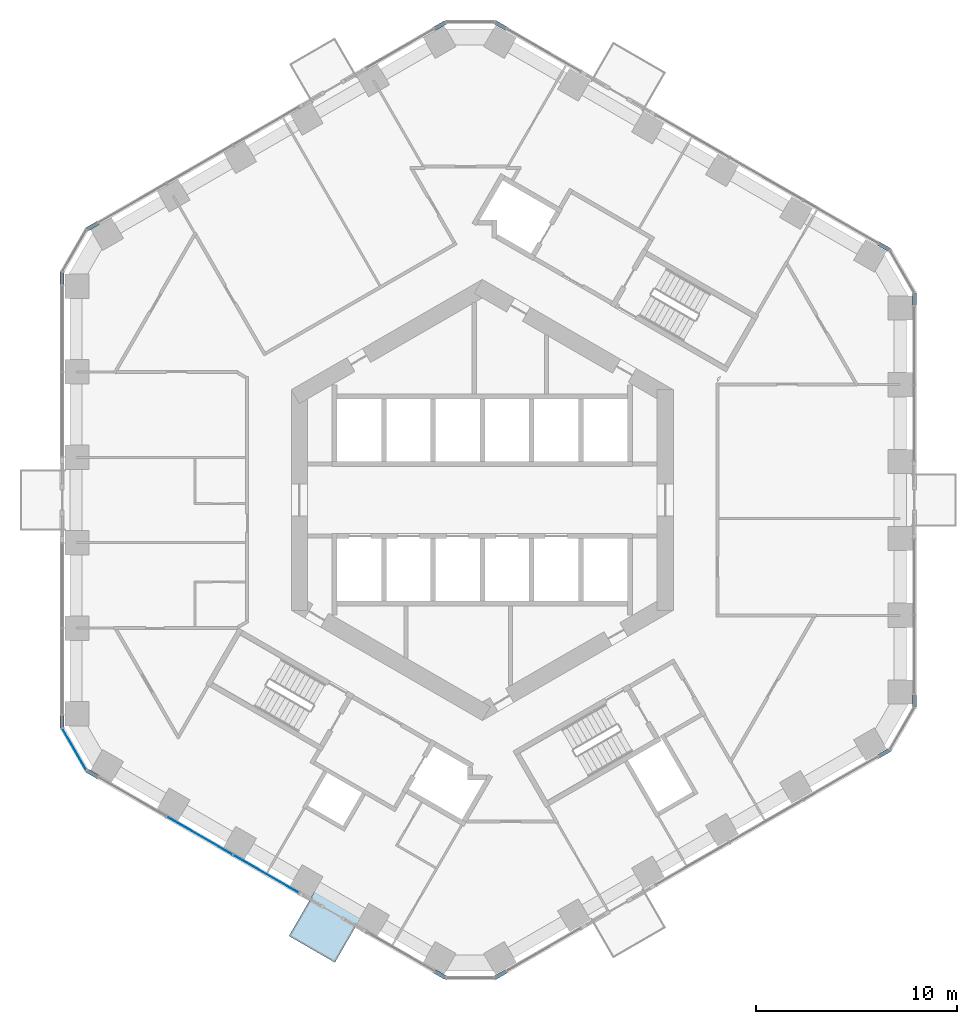
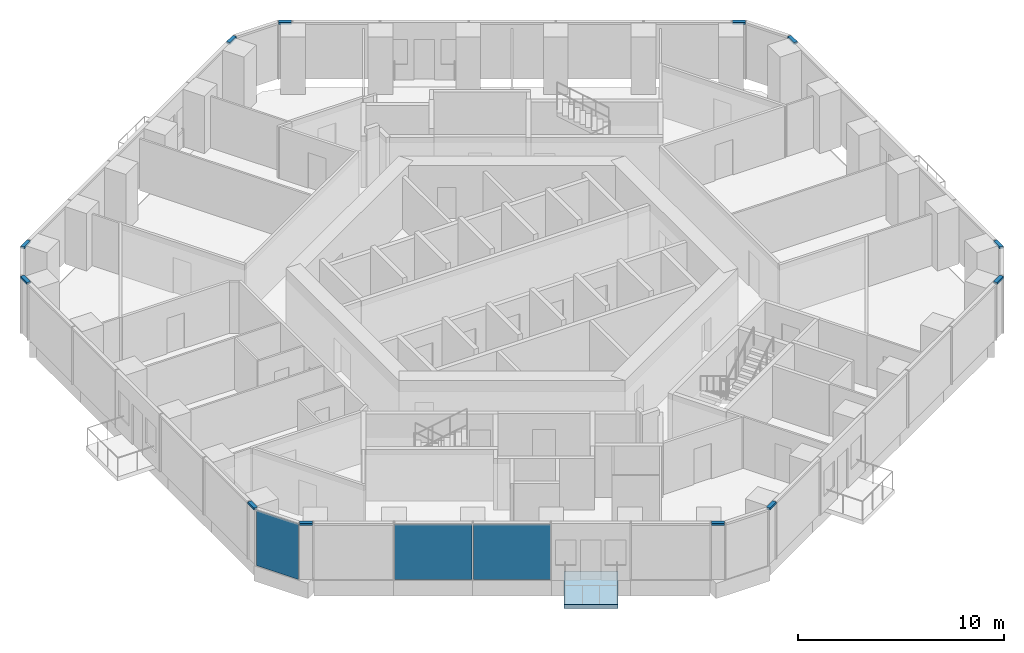
# One storey, part 8 of 20: 12 members, 3 plates, 1 slab, 7 elements without a shape of their own.
"""IFC4 building model written with IfcOpenShell, lengths in metres."""

from ifc_helpers import new_model, si_unit, direction, frame, origin, origin_2d, place, context, subcontext, project, spatial, polyline, rectangle, outline, extrude, material, layer, layer_set, material_profile, profile_set, type_object, element, aggregate, save


model = new_model("IFC4")

# Units and contexts
model_context = context("Model", 3, precision=1e-05, world=origin(), true_north=direction((0.0, 1.0)))
body_context = subcontext(model_context, "Body", "Model", "MODEL_VIEW")
ifc_project = project(units=[si_unit("LENGTHUNIT", "METRE"), si_unit("AREAUNIT", "SQUARE_METRE"), si_unit("VOLUMEUNIT", "CUBIC_METRE"), si_unit("PLANEANGLEUNIT", "RADIAN"), si_unit("MASSUNIT", "GRAM", prefix="KILO")], contexts=[model_context])

# Site, building, storey
site_placement = place(None, origin())
site = spatial("IfcSite", under=ifc_project, at=site_placement, CompositionType="ELEMENT")
building_placement = place(site_placement, origin())
building = spatial("IfcBuilding", under=site, at=building_placement, Name="Ayvan Gate Tower", CompositionType="ELEMENT")
storey_placement = place(building_placement, frame((0.0, 0.0, 59.5)))
storey = spatial("IfcBuildingStorey", under=building, at=storey_placement, Name="L15", CompositionType="ELEMENT", Elevation=59.5)

# Curtain wall, members
ifc_material_1 = material(Name="Bronze anodised aluminium", Category="aluminium")
ifc_layer_1 = layer(ifc_material_1, 0.199951171875)
ifc_layer_set_1 = layer_set([ifc_layer_1], Name="Bronze anodised aluminium")
curtain_wall_type_1 = type_object("IfcCurtainWallType", Name="Stick curtain wall CW-6", PredefinedType="NOTDEFINED", material=ifc_layer_set_1)
curtain_wall_1_placement = place(storey_placement, origin())
curtain_wall_1 = element("IfcCurtainWall", 1, at=curtain_wall_1_placement, inside=storey, type_object=curtain_wall_type_1, Name="Stick curtain wall CW-6 L15", PredefinedType="NOTDEFINED")
ifc_material_profile = material_profile(ifc_material_1, rectangle(XDim=0.199951171875, YDim=0.1201171875, at=origin_2d()), Name="Stick curtain wall CW-6 transom 200 x 120")
ifc_profile_set = profile_set([ifc_material_profile], Name="Bronze anodised aluminium")
member_type = type_object("IfcMemberType", Name="Stick curtain wall CW-6 transom 200 x 120", PredefinedType="USERDEFINED", material=ifc_profile_set)
member_1_placement = place(storey_placement, frame((-19.120849609375, 13.768798828125, 3.340087890625), z_axis=(-0.866022959057, -0.500004234368, 0.0), x_axis=(0.500004234368, -0.866022959057, 0.0)))
member_1 = element("IfcMember", 2, at=member_1_placement, type_object=member_type, Name="CW-6 transom 1", ObjectType="TRANSOM", PredefinedType="USERDEFINED", context=body_context, shape_type="SweptSolid", body=[
    extrude(rectangle(XDim=0.199951171875, YDim=0.1201171875, at=origin_2d()), origin(), (0.0, 0.0, 1.0), 0.625),
])
member_2_placement = place(storey_placement, frame((-20.89111328125, 11.32763671875, 3.340087890625), z_axis=(0.0, -1.0, 0.0), x_axis=(1.0, 0.0, 0.0)))
member_2 = element("IfcMember", 3, at=member_2_placement, type_object=member_type, Name="CW-6 transom 3", ObjectType="TRANSOM", PredefinedType="USERDEFINED", context=body_context, shape_type="SweptSolid", body=[
    extrude(rectangle(XDim=0.199951171875, YDim=0.1201171875, at=origin_2d()), origin(), (0.0, 0.0, 1.0), 0.625),
])
aggregate(curtain_wall_1, [member_1, member_2])

curtain_wall_2_placement = place(storey_placement, origin())
curtain_wall_2 = element("IfcCurtainWall", 4, at=curtain_wall_2_placement, inside=storey, type_object=curtain_wall_type_1, Name="Stick curtain wall CW-6 L15", PredefinedType="NOTDEFINED")
member_3_placement = place(storey_placement, frame((-20.89111328125, -10.70263671875, 3.340087890625), z_axis=(0.0, -1.0, 0.0), x_axis=(1.0, 0.0, 0.0)))
member_3 = element("IfcMember", 5, at=member_3_placement, type_object=member_type, Name="CW-6 transom 1", ObjectType="TRANSOM", PredefinedType="USERDEFINED", context=body_context, shape_type="SweptSolid", body=[
    extrude(rectangle(XDim=0.199951171875, YDim=0.1201171875, at=origin_2d()), origin(), (0.0, 0.0, 1.0), 0.625),
])
member_4_placement = place(storey_placement, frame((-19.662109375, -13.456298828125, 3.340087890625), z_axis=(0.866022959057, -0.500004234368, 0.0), x_axis=(0.500004234368, 0.866022959057, 0.0)))
member_4 = element("IfcMember", 6, at=member_4_placement, type_object=member_type, Name="CW-6 transom 3", ObjectType="TRANSOM", PredefinedType="USERDEFINED", context=body_context, shape_type="SweptSolid", body=[
    extrude(rectangle(XDim=0.199951171875, YDim=0.1201171875, at=origin_2d()), origin(), (0.0, 0.0, 1.0), 0.625),
])

curtain_wall_3_placement = place(storey_placement, origin())
curtain_wall_3 = element("IfcCurtainWall", 7, at=curtain_wall_3_placement, inside=storey, type_object=curtain_wall_type_1, Name="Stick curtain wall CW-6 L15", PredefinedType="NOTDEFINED")
member_5_placement = place(storey_placement, frame((-2.36376953125, -23.443603515625, 3.340087890625), z_axis=(0.866022959057, -0.500004234368, 0.0), x_axis=(0.500004234368, 0.866022959057, 0.0)))
member_5 = element("IfcMember", 8, at=member_5_placement, type_object=member_type, Name="CW-6 transom 1", ObjectType="TRANSOM", PredefinedType="USERDEFINED", context=body_context, shape_type="SweptSolid", body=[
    extrude(rectangle(XDim=0.199951171875, YDim=0.1201171875, at=origin_2d()), origin(), (0.0, 0.0, 1.0), 0.625),
])
member_6_placement = place(storey_placement, frame((0.635498046875, -23.756103515625, 3.340087890625), z_axis=(0.866022959057, 0.500004234368, 0.0), x_axis=(-0.500004234368, 0.866022959057, 0.0)))
member_6 = element("IfcMember", 9, at=member_6_placement, type_object=member_type, Name="CW-6 transom 3", ObjectType="TRANSOM", PredefinedType="USERDEFINED", context=body_context, shape_type="SweptSolid", body=[
    extrude(rectangle(XDim=0.199951171875, YDim=0.1201171875, at=origin_2d()), origin(), (0.0, 0.0, 1.0), 0.625),
])
aggregate(curtain_wall_3, [member_5, member_6])

curtain_wall_4_placement = place(storey_placement, origin())
curtain_wall_4 = element("IfcCurtainWall", 10, at=curtain_wall_4_placement, inside=storey, type_object=curtain_wall_type_1, Name="Stick curtain wall CW-6 L15", PredefinedType="NOTDEFINED")
member_7_placement = place(storey_placement, frame((19.71435546875, -12.740966796875, 3.340087890625), z_axis=(0.866022959057, 0.500004234368, 0.0), x_axis=(-0.500004234368, 0.866022959057, 0.0)))
member_7 = element("IfcMember", 11, at=member_7_placement, type_object=member_type, Name="CW-6 transom 1", ObjectType="TRANSOM", PredefinedType="USERDEFINED", context=body_context, shape_type="SweptSolid", body=[
    extrude(rectangle(XDim=0.199951171875, YDim=0.1201171875, at=origin_2d()), origin(), (0.0, 0.0, 1.0), 0.625),
])
member_8_placement = place(storey_placement, frame((21.484619140625, -10.2998046875, 3.340087890625), z_axis=(0.0, 1.0, 0.0), x_axis=(-1.0, 0.0, 0.0)))
member_8 = element("IfcMember", 12, at=member_8_placement, type_object=member_type, Name="CW-6 transom 3", ObjectType="TRANSOM", PredefinedType="USERDEFINED", context=body_context, shape_type="SweptSolid", body=[
    extrude(rectangle(XDim=0.199951171875, YDim=0.1201171875, at=origin_2d()), origin(), (0.0, 0.0, 1.0), 0.625),
])
aggregate(curtain_wall_4, [member_7, member_8])

curtain_wall_5_placement = place(storey_placement, origin())
curtain_wall_5 = element("IfcCurtainWall", 13, at=curtain_wall_5_placement, inside=storey, type_object=curtain_wall_type_1, Name="Stick curtain wall CW-6 L15", PredefinedType="NOTDEFINED")
member_9_placement = place(storey_placement, frame((21.484619140625, 9.6748046875, 3.340087890625), z_axis=(0.0, 1.0, 0.0), x_axis=(-1.0, 0.0, 0.0)))
member_9 = element("IfcMember", 14, at=member_9_placement, type_object=member_type, Name="CW-6 transom 1", ObjectType="TRANSOM", PredefinedType="USERDEFINED", context=body_context, shape_type="SweptSolid", body=[
    extrude(rectangle(XDim=0.199951171875, YDim=0.1201171875, at=origin_2d()), origin(), (0.0, 0.0, 1.0), 0.625),
])
member_10_placement = place(storey_placement, frame((20.255615234375, 12.428466796875, 3.340087890625), z_axis=(-0.866022959057, 0.500004234368, 0.0), x_axis=(-0.500004234368, -0.866022959057, 0.0)))
member_10 = element("IfcMember", 15, at=member_10_placement, type_object=member_type, Name="CW-6 transom 3", ObjectType="TRANSOM", PredefinedType="USERDEFINED", context=body_context, shape_type="SweptSolid", body=[
    extrude(rectangle(XDim=0.199951171875, YDim=0.1201171875, at=origin_2d()), origin(), (0.0, 0.0, 1.0), 0.625),
])
aggregate(curtain_wall_5, [member_9, member_10])

curtain_wall_6_placement = place(storey_placement, origin())
curtain_wall_6 = element("IfcCurtainWall", 16, at=curtain_wall_6_placement, inside=storey, type_object=curtain_wall_type_1, Name="Stick curtain wall CW-6 L15", PredefinedType="NOTDEFINED")
member_11_placement = place(storey_placement, frame((1.1767578125, 23.443603515625, 3.340087890625), z_axis=(-0.866022959057, 0.500004234368, 0.0), x_axis=(-0.500004234368, -0.866022959057, 0.0)))
member_11 = element("IfcMember", 17, at=member_11_placement, type_object=member_type, Name="CW-6 transom 1", ObjectType="TRANSOM", PredefinedType="USERDEFINED", context=body_context, shape_type="SweptSolid", body=[
    extrude(rectangle(XDim=0.199951171875, YDim=0.1201171875, at=origin_2d()), origin(), (0.0, 0.0, 1.0), 0.625),
])
member_12_placement = place(storey_placement, frame((-1.822509765625, 23.756103515625, 3.340087890625), z_axis=(-0.866022959057, -0.500004234368, 0.0), x_axis=(0.500004234368, -0.866022959057, 0.0)))
member_12 = element("IfcMember", 18, at=member_12_placement, type_object=member_type, Name="CW-6 transom 3", ObjectType="TRANSOM", PredefinedType="USERDEFINED", context=body_context, shape_type="SweptSolid", body=[
    extrude(rectangle(XDim=0.199951171875, YDim=0.1201171875, at=origin_2d()), origin(), (0.0, 0.0, 1.0), 0.625),
])
aggregate(curtain_wall_6, [member_11, member_12])

# Slab
ifc_material_2 = material(Name="Concrete C40/50", Category="concrete")
ifc_layer_2 = layer(ifc_material_2, 0.25)
ifc_layer_set_2 = layer_set([ifc_layer_2], Name="Concrete C40/50")
slab_type = type_object("IfcSlabType", Name="Balcony slab 250", PredefinedType="FLOOR", material=ifc_layer_set_2)
slab_placement = place(storey_placement, frame((0.0, 0.0, -0.25)))
element("IfcSlab", 19, at=slab_placement, inside=storey, type_object=slab_type, Name="Balcony slab BAL-L15-4", PredefinedType="FLOOR", context=body_context, shape_type="SweptSolid", body=[
    extrude(outline(polyline([(-8.212890625, -19.25830078125), (-5.9326171875, -20.57470703125), (-7.33251953125, -22.999755859375), (-9.61279296875, -21.68310546875), (-8.212890625, -19.25830078125)])), origin(), (0.0, 0.0, 1.0), 0.25),
])

# Curtain wall, plates
ifc_layer_3 = layer(ifc_material_1, 0.199951171875)
ifc_layer_set_3 = layer_set([ifc_layer_3], Name="Bronze anodised aluminium")
curtain_wall_type_2 = type_object("IfcCurtainWallType", Name="Stick curtain wall CW-1", PredefinedType="NOTDEFINED", material=ifc_layer_set_3)
curtain_wall_7_placement = place(storey_placement, origin())
curtain_wall_7 = element("IfcCurtainWall", 20, at=curtain_wall_7_placement, inside=storey, type_object=curtain_wall_type_2, Name="Stick curtain wall CW-1 L15", PredefinedType="NOTDEFINED")
ifc_material_3 = material(Name="Clear low-iron laminated glass", Category="glass")
ifc_layer_4 = layer(ifc_material_3, 0.028076171875)
ifc_layer_set_4 = layer_set([ifc_layer_4], Name="Clear low-iron laminated glass")
plate_type_1 = type_object("IfcPlateType", Name="Stick curtain wall CW-1 glass panel", PredefinedType="CURTAIN_PANEL", material=ifc_layer_set_4)
plate_1_placement = place(storey_placement, frame((-14.050048828125, -16.696533203125, 0.0), z_axis=(0.0, 0.0, 1.0), x_axis=(0.866025403784, -0.5, 0.0)))
plate_1 = element("IfcPlate", 21, at=plate_1_placement, type_object=plate_type_1, Name="CW-1 glass panel 2", PredefinedType="CURTAIN_PANEL", context=body_context, shape_type="SweptSolid", body=[
    extrude(rectangle(XDim=3.759033203125, YDim=0.028076171875, at=origin_2d()), origin(), (0.0, 0.0, 1.0), 3.280029296875),
])
plate_2_placement = place(storey_placement, frame((-10.7421875, -18.606201171875, 0.0), z_axis=(0.0, 0.0, 1.0), x_axis=(0.866025403784, -0.5, 0.0)))
plate_2 = element("IfcPlate", 22, at=plate_2_placement, type_object=plate_type_1, Name="CW-1 glass panel 3", PredefinedType="CURTAIN_PANEL", context=body_context, shape_type="SweptSolid", body=[
    extrude(rectangle(XDim=3.760009765625, YDim=0.028076171875, at=origin_2d()), origin(), (0.0, 0.0, 1.0), 3.280029296875),
])
aggregate(curtain_wall_7, [plate_1, plate_2])

# Plate
ifc_layer_5 = layer(ifc_material_3, 0.028076171875)
ifc_layer_set_5 = layer_set([ifc_layer_5], Name="Clear low-iron laminated glass")
plate_type_2 = type_object("IfcPlateType", Name="Stick curtain wall CW-6 glass panel", PredefinedType="CURTAIN_PANEL", material=ifc_layer_set_5)
plate_3_placement = place(storey_placement, frame((-20.28759765625, -12.398193359375, 0.0), z_axis=(0.0, 0.0, 1.0), x_axis=(0.5, -0.866025403784, 0.0)))
plate_3 = element("IfcPlate", 23, at=plate_3_placement, type_object=plate_type_2, Name="CW-6 glass panel 2", PredefinedType="CURTAIN_PANEL", context=body_context, shape_type="SweptSolid", body=[
    extrude(rectangle(XDim=2.364501953125, YDim=0.028076171875, at=origin_2d()), origin(), (0.0, 0.0, 1.0), 3.280029296875),
])

aggregate(curtain_wall_2, [member_3, member_4, plate_3])

save(model, "model.ifc")
